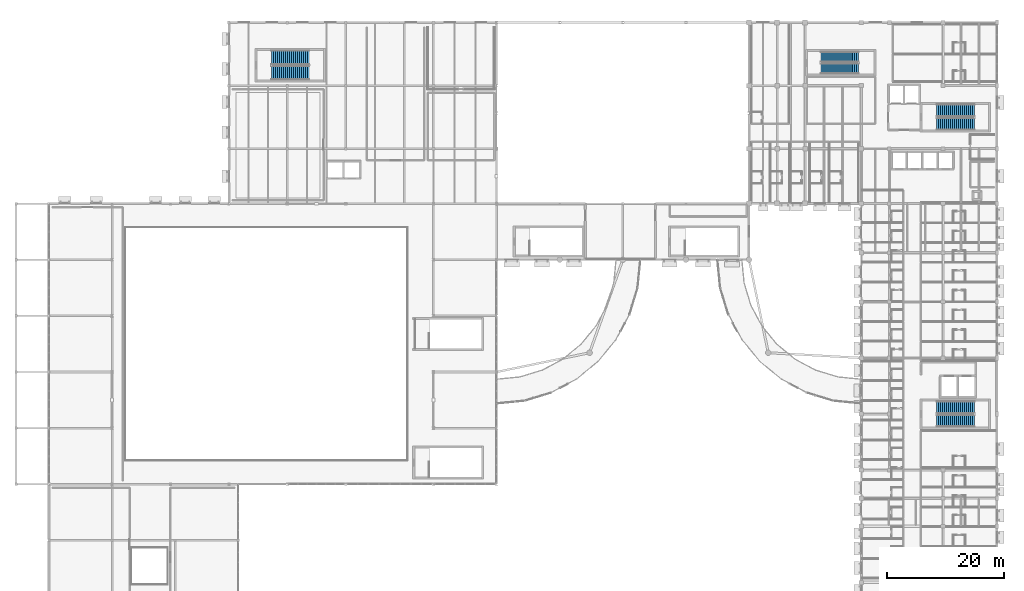
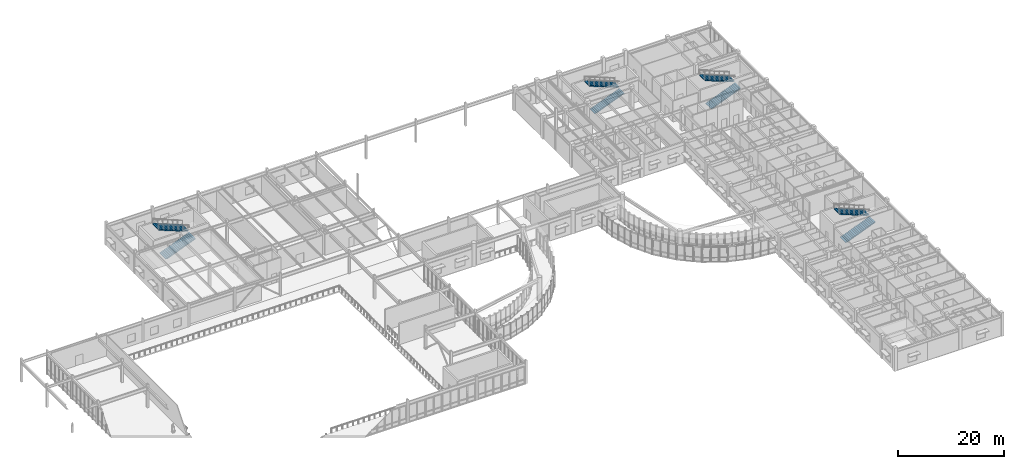
# One storey, part 57 of 68: 8 stair flights, 4 elements without a shape of their own.
"""IFC4 building model written with IfcOpenShell, lengths in metres."""

from ifc_helpers import new_model, si_unit, direction, frame, origin, place, context, subcontext, project, spatial, polyline, outline, extrude, material, type_object, element, aggregate, save


model = new_model("IFC4")

# Units and contexts
model_context = context("Model", 3, precision=1e-05, world=origin(), true_north=direction((0.0, 1.0)))
body_context = subcontext(model_context, "Body", "Model", "MODEL_VIEW")
ifc_project = project(units=[si_unit("LENGTHUNIT", "METRE"), si_unit("AREAUNIT", "SQUARE_METRE"), si_unit("VOLUMEUNIT", "CUBIC_METRE"), si_unit("PLANEANGLEUNIT", "RADIAN"), si_unit("MASSUNIT", "GRAM", prefix="KILO")], contexts=[model_context])

# Site, building, storey
site_placement = place(None, origin())
site = spatial("IfcSite", under=ifc_project, at=site_placement, CompositionType="ELEMENT")
building_placement = place(site_placement, origin())
building = spatial("IfcBuilding", under=site, at=building_placement, Name="Veldera Park Congress Hotel", CompositionType="ELEMENT")
storey_placement = place(building_placement, frame((0.0, 0.0, 10.800048828125)))
storey = spatial("IfcBuildingStorey", under=building, at=storey_placement, Name="L02", CompositionType="ELEMENT", Elevation=10.800048828125)

# Stair, stair flights
ifc_material = material(Name="Concrete f'c 40 MPa (5,800 psi)", Category="concrete")
stair_type_1 = type_object("IfcStairType", Name="ST1", PredefinedType="HALF_TURN_STAIR", material=ifc_material)
stair_1_placement = place(storey_placement, origin())
stair_1 = element("IfcStair", 1, at=stair_1_placement, inside=storey, type_object=stair_type_1, Name="L02 Protected Exit Stair ST1", PredefinedType="HALF_TURN_STAIR")
stair_flight_type_1 = type_object("IfcStairFlightType", Name="SFL-ST1", PredefinedType="STRAIGHT", material=ifc_material)
stair_flight_1_placement = place(storey_placement, frame((73.699951171875, 40.64990234375, 0.0), z_axis=(0.0, 0.0, 1.0), x_axis=(1.0, 0.0, 0.0)))
stair_flight_1 = element("IfcStairFlight", 2, at=stair_flight_1_placement, type_object=stair_flight_type_1, Name="ST1 flight 1", NumberOfRisers=20, NumberOfTreads=19, PredefinedType="STRAIGHT", RiserHeight=0.135, TreadLength=0.34, context=body_context, shape_type="SweptSolid", body=[
    extrude(outline(polyline([(0.0, 0.0), (0.0, 0.135009765625), (0.340087890625, 0.135009765625), (0.340087890625, 0.27001953125), (0.679931640625, 0.27001953125), (0.679931640625, 0.405029296875), (1.02001953125, 0.405029296875), (1.02001953125, 0.5400390625), (1.360107421875, 0.5400390625), (1.360107421875, 0.675048828125), (1.699951171875, 0.675048828125), (1.699951171875, 0.81005859375), (2.0400390625, 0.81005859375), (2.0400390625, 0.945068359375), (2.3798828125, 0.945068359375), (2.3798828125, 1.080078125), (2.719970703125, 1.080078125), (2.719970703125, 1.215087890625), (3.06005859375, 1.215087890625), (3.06005859375, 1.35009765625), (3.39990234375, 1.35009765625), (3.39990234375, 1.485107421875), (3.739990234375, 1.485107421875), (3.739990234375, 1.6201171875), (4.080078125, 1.6201171875), (4.080078125, 1.7548828125), (4.419921875, 1.7548828125), (4.419921875, 1.889892578125), (4.760009765625, 1.889892578125), (4.760009765625, 2.02490234375), (5.10009765625, 2.02490234375), (5.10009765625, 2.159912109375), (5.43994140625, 2.159912109375), (5.43994140625, 2.294921875), (5.780029296875, 2.294921875), (5.780029296875, 2.429931640625), (6.1201171875, 2.429931640625), (6.1201171875, 2.56494140625), (6.4599609375, 2.56494140625), (6.4599609375, 2.699951171875), (6.4599609375, 2.699951171875), (6.4599609375, 2.371337890625), (0.487548828125, 0.0), (0.0, 0.0)])), frame((0.0, 1.050048828125, 0.0), z_axis=(0.0, -1.0, 0.0), x_axis=(1.0, 0.0, 0.0)), (0.0, 0.0, 1.0), 2.10009765625),
])
stair_flight_2_placement = place(storey_placement, frame((80.159912109375, 42.949951171875, 2.699951171875), z_axis=(0.0, 0.0, 1.0), x_axis=(-1.0, 0.0, 0.0)))
stair_flight_2 = element("IfcStairFlight", 3, at=stair_flight_2_placement, type_object=stair_flight_type_1, Name="ST1 flight 2", NumberOfRisers=20, NumberOfTreads=19, PredefinedType="STRAIGHT", RiserHeight=0.135, TreadLength=0.34, context=body_context, shape_type="SweptSolid", body=[
    extrude(outline(polyline([(0.0, 0.0), (0.0, 0.135009765625), (0.340087890625, 0.135009765625), (0.340087890625, 0.27001953125), (0.679931640625, 0.27001953125), (0.679931640625, 0.405029296875), (1.02001953125, 0.405029296875), (1.02001953125, 0.5400390625), (1.360107421875, 0.5400390625), (1.360107421875, 0.675048828125), (1.699951171875, 0.675048828125), (1.699951171875, 0.81005859375), (2.0400390625, 0.81005859375), (2.0400390625, 0.945068359375), (2.3798828125, 0.945068359375), (2.3798828125, 1.080078125), (2.719970703125, 1.080078125), (2.719970703125, 1.215087890625), (3.06005859375, 1.215087890625), (3.06005859375, 1.35009765625), (3.39990234375, 1.35009765625), (3.39990234375, 1.485107421875), (3.739990234375, 1.485107421875), (3.739990234375, 1.6201171875), (4.080078125, 1.6201171875), (4.080078125, 1.7548828125), (4.419921875, 1.7548828125), (4.419921875, 1.889892578125), (4.760009765625, 1.889892578125), (4.760009765625, 2.02490234375), (5.10009765625, 2.02490234375), (5.10009765625, 2.159912109375), (5.43994140625, 2.159912109375), (5.43994140625, 2.294921875), (5.780029296875, 2.294921875), (5.780029296875, 2.429931640625), (6.1201171875, 2.429931640625), (6.1201171875, 2.56494140625), (6.4599609375, 2.56494140625), (6.4599609375, 2.699951171875), (6.4599609375, 2.699951171875), (6.4599609375, 2.371337890625), (0.487548828125, 0.0), (0.0, 0.0)])), frame((0.0, 1.050048828125, 0.0), z_axis=(0.0, -1.0, 0.0), x_axis=(1.0, 0.0, 0.0)), (0.0, 0.0, 1.0), 2.10009765625),
])
aggregate(stair_1, [stair_flight_1, stair_flight_2])

stair_type_2 = type_object("IfcStairType", Name="ST2", PredefinedType="HALF_TURN_STAIR", material=ifc_material)
stair_2_placement = place(storey_placement, origin())
stair_2 = element("IfcStair", 4, at=stair_2_placement, inside=storey, type_object=stair_type_2, Name="L02 Protected Exit Stair ST2", PredefinedType="HALF_TURN_STAIR")
stair_flight_type_2 = type_object("IfcStairFlightType", Name="SFL-ST2", PredefinedType="STRAIGHT", material=ifc_material)
stair_flight_3_placement = place(storey_placement, frame((73.699951171875, -10.14990234375, 0.0), z_axis=(0.0, 0.0, 1.0), x_axis=(1.0, 0.0, 0.0)))
stair_flight_3 = element("IfcStairFlight", 5, at=stair_flight_3_placement, type_object=stair_flight_type_2, Name="ST2 flight 1", NumberOfRisers=20, NumberOfTreads=19, PredefinedType="STRAIGHT", RiserHeight=0.135, TreadLength=0.34, context=body_context, shape_type="SweptSolid", body=[
    extrude(outline(polyline([(0.0, 0.0), (0.0, 0.135009765625), (0.340087890625, 0.135009765625), (0.340087890625, 0.27001953125), (0.679931640625, 0.27001953125), (0.679931640625, 0.405029296875), (1.02001953125, 0.405029296875), (1.02001953125, 0.5400390625), (1.360107421875, 0.5400390625), (1.360107421875, 0.675048828125), (1.699951171875, 0.675048828125), (1.699951171875, 0.81005859375), (2.0400390625, 0.81005859375), (2.0400390625, 0.945068359375), (2.3798828125, 0.945068359375), (2.3798828125, 1.080078125), (2.719970703125, 1.080078125), (2.719970703125, 1.215087890625), (3.06005859375, 1.215087890625), (3.06005859375, 1.35009765625), (3.39990234375, 1.35009765625), (3.39990234375, 1.485107421875), (3.739990234375, 1.485107421875), (3.739990234375, 1.6201171875), (4.080078125, 1.6201171875), (4.080078125, 1.7548828125), (4.419921875, 1.7548828125), (4.419921875, 1.889892578125), (4.760009765625, 1.889892578125), (4.760009765625, 2.02490234375), (5.10009765625, 2.02490234375), (5.10009765625, 2.159912109375), (5.43994140625, 2.159912109375), (5.43994140625, 2.294921875), (5.780029296875, 2.294921875), (5.780029296875, 2.429931640625), (6.1201171875, 2.429931640625), (6.1201171875, 2.56494140625), (6.4599609375, 2.56494140625), (6.4599609375, 2.699951171875), (6.4599609375, 2.699951171875), (6.4599609375, 2.371337890625), (0.487548828125, 0.0), (0.0, 0.0)])), frame((0.0, 1.050048828125, 0.0), z_axis=(0.0, -1.0, 0.0), x_axis=(1.0, 0.0, 0.0)), (0.0, 0.0, 1.0), 2.10009765625),
])
stair_flight_4_placement = place(storey_placement, frame((80.159912109375, -7.85009765625, 2.699951171875), z_axis=(0.0, 0.0, 1.0), x_axis=(-1.0, 0.0, 0.0)))
stair_flight_4 = element("IfcStairFlight", 6, at=stair_flight_4_placement, type_object=stair_flight_type_2, Name="ST2 flight 2", NumberOfRisers=20, NumberOfTreads=19, PredefinedType="STRAIGHT", RiserHeight=0.135, TreadLength=0.34, context=body_context, shape_type="SweptSolid", body=[
    extrude(outline(polyline([(0.0, 0.0), (0.0, 0.135009765625), (0.340087890625, 0.135009765625), (0.340087890625, 0.27001953125), (0.679931640625, 0.27001953125), (0.679931640625, 0.405029296875), (1.02001953125, 0.405029296875), (1.02001953125, 0.5400390625), (1.360107421875, 0.5400390625), (1.360107421875, 0.675048828125), (1.699951171875, 0.675048828125), (1.699951171875, 0.81005859375), (2.0400390625, 0.81005859375), (2.0400390625, 0.945068359375), (2.3798828125, 0.945068359375), (2.3798828125, 1.080078125), (2.719970703125, 1.080078125), (2.719970703125, 1.215087890625), (3.06005859375, 1.215087890625), (3.06005859375, 1.35009765625), (3.39990234375, 1.35009765625), (3.39990234375, 1.485107421875), (3.739990234375, 1.485107421875), (3.739990234375, 1.6201171875), (4.080078125, 1.6201171875), (4.080078125, 1.7548828125), (4.419921875, 1.7548828125), (4.419921875, 1.889892578125), (4.760009765625, 1.889892578125), (4.760009765625, 2.02490234375), (5.10009765625, 2.02490234375), (5.10009765625, 2.159912109375), (5.43994140625, 2.159912109375), (5.43994140625, 2.294921875), (5.780029296875, 2.294921875), (5.780029296875, 2.429931640625), (6.1201171875, 2.429931640625), (6.1201171875, 2.56494140625), (6.4599609375, 2.56494140625), (6.4599609375, 2.699951171875), (6.4599609375, 2.699951171875), (6.4599609375, 2.371337890625), (0.487548828125, 0.0), (0.0, 0.0)])), frame((0.0, 1.050048828125, 0.0), z_axis=(0.0, -1.0, 0.0), x_axis=(1.0, 0.0, 0.0)), (0.0, 0.0, 1.0), 2.10009765625),
])
aggregate(stair_2, [stair_flight_3, stair_flight_4])

stair_type_3 = type_object("IfcStairType", Name="ST3", PredefinedType="HALF_TURN_STAIR", material=ifc_material)
stair_3_placement = place(storey_placement, origin())
stair_3 = element("IfcStair", 7, at=stair_3_placement, inside=storey, type_object=stair_type_3, Name="L02 Protected Exit Stair ST3", PredefinedType="HALF_TURN_STAIR")
stair_flight_type_3 = type_object("IfcStairFlightType", Name="SFL-ST3", PredefinedType="STRAIGHT", material=ifc_material)
stair_flight_5_placement = place(storey_placement, frame((53.89990234375, 50.10009765625, 0.0), z_axis=(0.0, 0.0, 1.0), x_axis=(1.0, 0.0, 0.0)))
stair_flight_5 = element("IfcStairFlight", 8, at=stair_flight_5_placement, type_object=stair_flight_type_3, Name="ST3 flight 1", NumberOfRisers=20, NumberOfTreads=19, PredefinedType="STRAIGHT", RiserHeight=0.135, TreadLength=0.34, context=body_context, shape_type="SweptSolid", body=[
    extrude(outline(polyline([(0.0, 0.0), (0.0, 0.135009765625), (0.340087890625, 0.135009765625), (0.340087890625, 0.27001953125), (0.679931640625, 0.27001953125), (0.679931640625, 0.405029296875), (1.02001953125, 0.405029296875), (1.02001953125, 0.5400390625), (1.360107421875, 0.5400390625), (1.360107421875, 0.675048828125), (1.699951171875, 0.675048828125), (1.699951171875, 0.81005859375), (2.0400390625, 0.81005859375), (2.0400390625, 0.945068359375), (2.3798828125, 0.945068359375), (2.3798828125, 1.080078125), (2.719970703125, 1.080078125), (2.719970703125, 1.215087890625), (3.06005859375, 1.215087890625), (3.06005859375, 1.35009765625), (3.39990234375, 1.35009765625), (3.39990234375, 1.485107421875), (3.739990234375, 1.485107421875), (3.739990234375, 1.6201171875), (4.080078125, 1.6201171875), (4.080078125, 1.7548828125), (4.419921875, 1.7548828125), (4.419921875, 1.889892578125), (4.760009765625, 1.889892578125), (4.760009765625, 2.02490234375), (5.10009765625, 2.02490234375), (5.10009765625, 2.159912109375), (5.43994140625, 2.159912109375), (5.43994140625, 2.294921875), (5.780029296875, 2.294921875), (5.780029296875, 2.429931640625), (6.1201171875, 2.429931640625), (6.1201171875, 2.56494140625), (6.4599609375, 2.56494140625), (6.4599609375, 2.699951171875), (6.4599609375, 2.699951171875), (6.4599609375, 2.371337890625), (0.487548828125, 0.0), (0.0, 0.0)])), frame((0.0, 0.89990234375, 0.0), z_axis=(0.0, -1.0, 0.0), x_axis=(1.0, 0.0, 0.0)), (0.0, 0.0, 1.0), 1.800048828125),
])
stair_flight_6_placement = place(storey_placement, frame((60.360107421875, 52.10009765625, 2.699951171875), z_axis=(0.0, 0.0, 1.0), x_axis=(-1.0, 0.0, 0.0)))
stair_flight_6 = element("IfcStairFlight", 9, at=stair_flight_6_placement, type_object=stair_flight_type_3, Name="ST3 flight 2", NumberOfRisers=20, NumberOfTreads=19, PredefinedType="STRAIGHT", RiserHeight=0.135, TreadLength=0.34, context=body_context, shape_type="SweptSolid", body=[
    extrude(outline(polyline([(0.0, 0.0), (0.0, 0.135009765625), (0.340087890625, 0.135009765625), (0.340087890625, 0.27001953125), (0.679931640625, 0.27001953125), (0.679931640625, 0.405029296875), (1.02001953125, 0.405029296875), (1.02001953125, 0.5400390625), (1.360107421875, 0.5400390625), (1.360107421875, 0.675048828125), (1.699951171875, 0.675048828125), (1.699951171875, 0.81005859375), (2.0400390625, 0.81005859375), (2.0400390625, 0.945068359375), (2.3798828125, 0.945068359375), (2.3798828125, 1.080078125), (2.719970703125, 1.080078125), (2.719970703125, 1.215087890625), (3.06005859375, 1.215087890625), (3.06005859375, 1.35009765625), (3.39990234375, 1.35009765625), (3.39990234375, 1.485107421875), (3.739990234375, 1.485107421875), (3.739990234375, 1.6201171875), (4.080078125, 1.6201171875), (4.080078125, 1.7548828125), (4.419921875, 1.7548828125), (4.419921875, 1.889892578125), (4.760009765625, 1.889892578125), (4.760009765625, 2.02490234375), (5.10009765625, 2.02490234375), (5.10009765625, 2.159912109375), (5.43994140625, 2.159912109375), (5.43994140625, 2.294921875), (5.780029296875, 2.294921875), (5.780029296875, 2.429931640625), (6.1201171875, 2.429931640625), (6.1201171875, 2.56494140625), (6.4599609375, 2.56494140625), (6.4599609375, 2.699951171875), (6.4599609375, 2.699951171875), (6.4599609375, 2.371337890625), (0.487548828125, 0.0), (0.0, 0.0)])), frame((0.0, 0.89990234375, 0.0), z_axis=(0.0, -1.0, 0.0), x_axis=(1.0, 0.0, 0.0)), (0.0, 0.0, 1.0), 1.800048828125),
])
aggregate(stair_3, [stair_flight_5, stair_flight_6])

stair_type_4 = type_object("IfcStairType", Name="ST4", PredefinedType="HALF_TURN_STAIR", material=ifc_material)
stair_4_placement = place(storey_placement, origin())
stair_4 = element("IfcStair", 10, at=stair_4_placement, inside=storey, type_object=stair_type_4, Name="L02 Protected Exit Stair ST4", PredefinedType="HALF_TURN_STAIR")
stair_flight_type_4 = type_object("IfcStairFlightType", Name="SFL-ST4", PredefinedType="STRAIGHT", material=ifc_material)
stair_flight_7_placement = place(storey_placement, frame((-40.10009765625, 49.39990234375, 0.0), z_axis=(0.0, 0.0, 1.0), x_axis=(1.0, 0.0, 0.0)))
stair_flight_7 = element("IfcStairFlight", 11, at=stair_flight_7_placement, type_object=stair_flight_type_4, Name="ST4 flight 1", NumberOfRisers=20, NumberOfTreads=19, PredefinedType="STRAIGHT", RiserHeight=0.135, TreadLength=0.34, context=body_context, shape_type="SweptSolid", body=[
    extrude(outline(polyline([(0.0, 0.0), (0.0, 0.135009765625), (0.340087890625, 0.135009765625), (0.340087890625, 0.27001953125), (0.679931640625, 0.27001953125), (0.679931640625, 0.405029296875), (1.02001953125, 0.405029296875), (1.02001953125, 0.5400390625), (1.360107421875, 0.5400390625), (1.360107421875, 0.675048828125), (1.699951171875, 0.675048828125), (1.699951171875, 0.81005859375), (2.0400390625, 0.81005859375), (2.0400390625, 0.945068359375), (2.3798828125, 0.945068359375), (2.3798828125, 1.080078125), (2.719970703125, 1.080078125), (2.719970703125, 1.215087890625), (3.06005859375, 1.215087890625), (3.06005859375, 1.35009765625), (3.39990234375, 1.35009765625), (3.39990234375, 1.485107421875), (3.739990234375, 1.485107421875), (3.739990234375, 1.6201171875), (4.080078125, 1.6201171875), (4.080078125, 1.7548828125), (4.419921875, 1.7548828125), (4.419921875, 1.889892578125), (4.760009765625, 1.889892578125), (4.760009765625, 2.02490234375), (5.10009765625, 2.02490234375), (5.10009765625, 2.159912109375), (5.43994140625, 2.159912109375), (5.43994140625, 2.294921875), (5.780029296875, 2.294921875), (5.780029296875, 2.429931640625), (6.1201171875, 2.429931640625), (6.1201171875, 2.56494140625), (6.4599609375, 2.56494140625), (6.4599609375, 2.699951171875), (6.4599609375, 2.699951171875), (6.4599609375, 2.371337890625), (0.487548828125, 0.0), (0.0, 0.0)])), frame((0.0, 1.199951171875, 0.0), z_axis=(0.0, -1.0, 0.0), x_axis=(1.0, 0.0, 0.0)), (0.0, 0.0, 1.0), 2.39990234375),
])
stair_flight_8_placement = place(storey_placement, frame((-33.639892578125, 52.0, 2.699951171875), z_axis=(0.0, 0.0, 1.0), x_axis=(-1.0, 0.0, 0.0)))
stair_flight_8 = element("IfcStairFlight", 12, at=stair_flight_8_placement, type_object=stair_flight_type_4, Name="ST4 flight 2", NumberOfRisers=20, NumberOfTreads=19, PredefinedType="STRAIGHT", RiserHeight=0.135, TreadLength=0.34, context=body_context, shape_type="SweptSolid", body=[
    extrude(outline(polyline([(0.0, 0.0), (0.0, 0.135009765625), (0.340087890625, 0.135009765625), (0.340087890625, 0.27001953125), (0.679931640625, 0.27001953125), (0.679931640625, 0.405029296875), (1.02001953125, 0.405029296875), (1.02001953125, 0.5400390625), (1.360107421875, 0.5400390625), (1.360107421875, 0.675048828125), (1.699951171875, 0.675048828125), (1.699951171875, 0.81005859375), (2.0400390625, 0.81005859375), (2.0400390625, 0.945068359375), (2.3798828125, 0.945068359375), (2.3798828125, 1.080078125), (2.719970703125, 1.080078125), (2.719970703125, 1.215087890625), (3.06005859375, 1.215087890625), (3.06005859375, 1.35009765625), (3.39990234375, 1.35009765625), (3.39990234375, 1.485107421875), (3.739990234375, 1.485107421875), (3.739990234375, 1.6201171875), (4.080078125, 1.6201171875), (4.080078125, 1.7548828125), (4.419921875, 1.7548828125), (4.419921875, 1.889892578125), (4.760009765625, 1.889892578125), (4.760009765625, 2.02490234375), (5.10009765625, 2.02490234375), (5.10009765625, 2.159912109375), (5.43994140625, 2.159912109375), (5.43994140625, 2.294921875), (5.780029296875, 2.294921875), (5.780029296875, 2.429931640625), (6.1201171875, 2.429931640625), (6.1201171875, 2.56494140625), (6.4599609375, 2.56494140625), (6.4599609375, 2.699951171875), (6.4599609375, 2.699951171875), (6.4599609375, 2.371337890625), (0.487548828125, 0.0), (0.0, 0.0)])), frame((0.0, 1.199951171875, 0.0), z_axis=(0.0, -1.0, 0.0), x_axis=(1.0, 0.0, 0.0)), (0.0, 0.0, 1.0), 2.39990234375),
])
aggregate(stair_4, [stair_flight_7, stair_flight_8])

save(model, "model.ifc")
